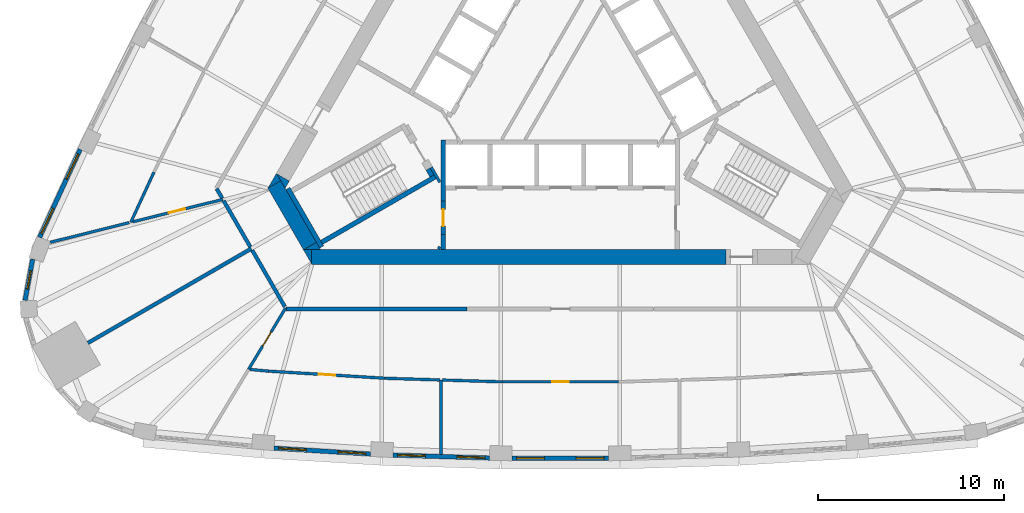
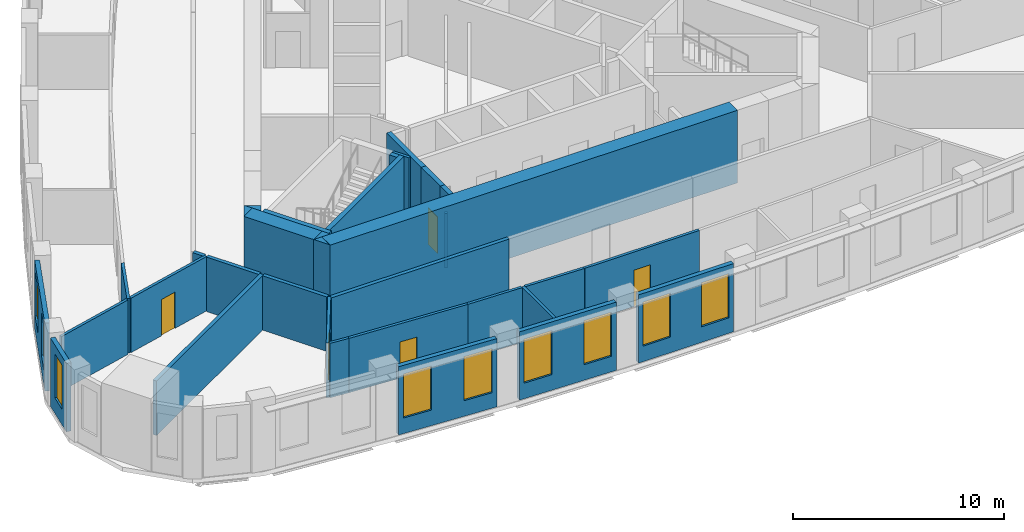
# One storey, part 3 of 10: 34 walls, 9 windows, 5 doors, 14 openings.
"""IFC4 building model written with IfcOpenShell, lengths in metres."""

import ifcopenshell
import ifcopenshell.guid

model = None  # the IFC model being written
_history = None  # IfcOwnerHistory: only IFC2X3 demands one
_inside = {}  # id of a spatial element -> (the spatial element, [elements in it])
_under = {}  # id of a project, library or spatial element -> (it, [spatial elements below it])
_declared = {}  # id of a project -> (the project, [libraries it declares])
_typed = {}  # id of a type object -> (the type object, [elements of that type])
_made_of = {}  # id of a material, layer set ... -> (it, [elements and type objects made of it])


def new_model(schema):
    """Start an empty IFC model of exactly this schema.

    Asked for "IFC4X3", IfcOpenShell would pick the latest addendum, in which some entities
    have other attributes; the version numbers below select the first issue.
    IFC2X3 requires an IfcOwnerHistory on every rooted entity: one is made here for all.
    """
    global model, _history
    if schema == "IFC4X3":
        model = ifcopenshell.file(schema_version=(4, 3, 0, 0))
    else:
        model = ifcopenshell.file(schema=schema)
    _inside.clear()
    _under.clear()
    _declared.clear()
    _typed.clear()
    _made_of.clear()
    _history = None
    if model.schema == "IFC2X3":
        org = make("IfcOrganization", Name="unknown")
        user = make(
            "IfcPersonAndOrganization",
            ThePerson=make("IfcPerson", FamilyName="unknown"),
            TheOrganization=org,
        )
        app = make(
            "IfcApplication",
            ApplicationDeveloper=org,
            Version="unknown",
            ApplicationFullName="unknown",
            ApplicationIdentifier="unknown",
        )
        _history = make(
            "IfcOwnerHistory",
            OwningUser=user,
            OwningApplication=app,
            ChangeAction="ADDED",
            CreationDate=0,
        )
    return model


def make(cls, **values):
    """One entity of the class cls with the attributes given. An attribute that is None is left unset."""
    return model.create_entity(
        cls, **{name: value for name, value in values.items() if value is not None}
    )


def rooted(cls, **values):
    """An entity with a GlobalId (a new one), such as an element, a storey or a relation."""
    return make(cls, GlobalId=ifcopenshell.guid.new(), OwnerHistory=_history, **values)


def si_unit(unit_type, name, prefix=None):
    """IfcSIUnit, for example si_unit("LENGTHUNIT", "METRE", prefix="MILLI")."""
    return make("IfcSIUnit", UnitType=unit_type, Prefix=prefix, Name=name)


def assignment(units):
    """IfcUnitAssignment: the units of a project."""
    return None if units is None else make("IfcUnitAssignment", Units=units)


def point(xyz):
    """IfcCartesianPoint."""
    return None if xyz is None else make("IfcCartesianPoint", Coordinates=xyz)


def direction(xyz):
    """IfcDirection."""
    return None if xyz is None else make("IfcDirection", DirectionRatios=xyz)


def frame(location, z_axis=None, x_axis=None):
    """IfcAxis2Placement3D, a coordinate frame: its origin and axes. An axis left out is left unset."""
    return make(
        "IfcAxis2Placement3D",
        Location=point(location),
        Axis=direction(z_axis),
        RefDirection=direction(x_axis),
    )


def frame_2d(location, x_axis=None):
    """IfcAxis2Placement2D, a coordinate frame in the plane: its origin and x axis."""
    return make(
        "IfcAxis2Placement2D", Location=point(location), RefDirection=direction(x_axis)
    )


def origin():
    """The frame at (0, 0, 0) with its axes left unset."""
    return frame((0.0, 0.0, 0.0))


def place(relative_to, where):
    """IfcLocalPlacement: puts the frame where relative to a parent placement (None: the world)."""
    return make(
        "IfcLocalPlacement", PlacementRelTo=relative_to, RelativePlacement=where
    )


def context(
    kind, dimensions, precision=None, world=None, true_north=None, identifier=None
):
    """IfcGeometricRepresentationContext, for example the 3D "Model" context."""
    return make(
        "IfcGeometricRepresentationContext",
        ContextIdentifier=identifier,
        ContextType=kind,
        CoordinateSpaceDimension=dimensions,
        Precision=precision,
        WorldCoordinateSystem=world,
        TrueNorth=true_north,
    )


def subcontext(parent, identifier, kind, view, scale=None):
    """IfcGeometricRepresentationSubContext, for example "Body" below "Model"."""
    return make(
        "IfcGeometricRepresentationSubContext",
        ContextIdentifier=identifier,
        ContextType=kind,
        ParentContext=parent,
        TargetScale=scale,
        TargetView=view,
    )


def project(units=None, contexts=None):
    """IfcProject with its units and contexts."""
    return rooted(
        "IfcProject",
        Name="project",
        RepresentationContexts=contexts,
        UnitsInContext=assignment(units),
    )


def spatial(cls, under=None, at=None, **own):
    """A site, building, storey or space (cls), placed at a placement, below another one or the project."""
    s = rooted(cls, ObjectPlacement=at, **own)
    if under is not None:
        _under.setdefault(under.id(), (under, []))[1].append(s)
    return s


def polyline(points):
    """IfcPolyline through the points."""
    return make("IfcPolyline", Points=[point(p) for p in points])


def profile(cls, at=None, kind="AREA", **sizes):
    """A parametric profile (cls). Its sizes go by their IFC names, for example OverallWidth=200.0."""
    return make(cls, ProfileType=kind, Position=at, **sizes)


def rectangle(**sizes):
    """IfcRectangleProfileDef."""
    return profile("IfcRectangleProfileDef", **sizes)


def outline(outer, holes=None, kind="AREA"):
    """IfcArbitraryClosedProfileDef: a profile drawn as a closed curve; with holes, ...WithVoids."""
    if holes is None:
        return make("IfcArbitraryClosedProfileDef", ProfileType=kind, OuterCurve=outer)
    return make(
        "IfcArbitraryProfileDefWithVoids",
        ProfileType=kind,
        OuterCurve=outer,
        InnerCurves=holes,
    )


def extrude(swept, where, along, depth):
    """IfcExtrudedAreaSolid: the profile swept, set in the frame where, extruded along a direction by depth."""
    return make(
        "IfcExtrudedAreaSolid",
        SweptArea=swept,
        Position=where,
        ExtrudedDirection=direction(along),
        Depth=depth,
    )


def shape(context_of_items, identifier, shape_type, items):
    """IfcShapeRepresentation: the items that make up one representation, for example the "Body"."""
    return make(
        "IfcShapeRepresentation",
        ContextOfItems=context_of_items,
        RepresentationIdentifier=identifier,
        RepresentationType=shape_type,
        Items=items,
    )


def material(Name=None, Category=None):
    """IfcMaterial."""
    return make("IfcMaterial", Name=Name, Category=Category)


def layer(
    of_material, thickness, ventilated=None, Name=None, Category=None, Priority=None
):
    """IfcMaterialLayer: one layer of a wall or slab, of a material (None: an air gap)."""
    return make(
        "IfcMaterialLayer",
        Material=of_material,
        LayerThickness=thickness,
        IsVentilated=ventilated,
        Name=Name,
        Category=Category,
        Priority=Priority,
    )


def layer_set(layers, Name=None):
    """IfcMaterialLayerSet."""
    return make("IfcMaterialLayerSet", MaterialLayers=layers, LayerSetName=Name)


def made_of(thing, what):
    """Note that an element or type object is made of a material, layer set ...; save() writes the relation."""
    if what is not None:
        _made_of.setdefault(what.id(), (what, []))[1].append(thing)
    return thing


def type_object(cls, material=None, **own):
    """A type object (cls), such as IfcWallType, which elements share."""
    return made_of(rooted(cls, **own), material)


def element(
    cls,
    number,
    at=None,
    inside=None,
    cuts=None,
    type_object=None,
    material=None,
    context=None,
    identifier="Body",
    shape_type=None,
    held_by="IfcProductDefinitionShape",
    body=None,
    shapes=None,
    **own,
):
    """One element of the class cls, such as IfcWall. Its Tag is "e" and its number.

    at: its placement. inside: the storey or other place that contains it. cuts: it is an
    opening in that element (IfcRelVoidsElement). A single representation is given by context,
    identifier, shape_type and body (its items); several are given by shapes. held_by: the class
    of the entity that holds the representations. save() writes the other relations.
    """
    e = rooted(cls, Tag="e%d" % number, ObjectPlacement=at, **own)
    if body is not None:
        shapes = [shape(context, identifier, shape_type, body)]
    if shapes is not None:
        e.Representation = make(held_by, Representations=shapes)
    if inside is not None:
        _inside.setdefault(inside.id(), (inside, []))[1].append(e)
    if cuts is not None:
        rooted(
            "IfcRelVoidsElement", RelatingBuildingElement=cuts, RelatedOpeningElement=e
        )
    if type_object is not None:
        _typed.setdefault(type_object.id(), (type_object, []))[1].append(e)
    return made_of(e, material)


def fill(opening, filler):
    """IfcRelFillsElement: the door or window that sits in an opening."""
    return rooted(
        "IfcRelFillsElement",
        RelatingOpeningElement=opening,
        RelatedBuildingElement=filler,
    )


def aggregate(whole, parts):
    """IfcRelAggregates: a whole, such as a stair, and the parts it consists of."""
    return rooted("IfcRelAggregates", RelatingObject=whole, RelatedObjects=parts)


def save(model, path):
    """Write the relations noted so far, then the file.

    IfcRelAggregates (storeys below a building ...), IfcRelContainedInSpatialStructure (elements
    in a storey), IfcRelDefinesByType, IfcRelAssociatesMaterial and IfcRelDeclares: one each for
    every whole, place, type object, material and project.
    """
    for whole, parts in _under.values():
        aggregate(whole, parts)
    for where, things in _inside.values():
        rooted(
            "IfcRelContainedInSpatialStructure",
            RelatedElements=things,
            RelatingStructure=where,
        )
    for kind, things in _typed.values():
        rooted("IfcRelDefinesByType", RelatedObjects=things, RelatingType=kind)
    for what, things in _made_of.values():
        rooted("IfcRelAssociatesMaterial", RelatedObjects=things, RelatingMaterial=what)
    for by, libraries in _declared.values():
        rooted("IfcRelDeclares", RelatingContext=by, RelatedDefinitions=libraries)
    model.write(path)


model = new_model("IFC4")

# Units and contexts
model_context = context("Model", 3, precision=1e-05, world=origin(), true_north=direction((0.0, 1.0)))
body_context = subcontext(model_context, "Body", "Model", "MODEL_VIEW")
ifc_project = project(units=[si_unit("LENGTHUNIT", "METRE"), si_unit("AREAUNIT", "SQUARE_METRE"), si_unit("VOLUMEUNIT", "CUBIC_METRE"), si_unit("PLANEANGLEUNIT", "RADIAN"), si_unit("MASSUNIT", "GRAM", prefix="KILO")], contexts=[model_context])

# Site, building, storey
site_placement = place(None, origin())
site = spatial("IfcSite", under=ifc_project, at=site_placement, CompositionType="ELEMENT")
building_placement = place(site_placement, origin())
building = spatial("IfcBuilding", under=site, at=building_placement, Name="Mestral Congress Tower", CompositionType="ELEMENT")
storey_placement = place(building_placement, frame((0.0, 0.0, 145.800048828125)))
storey = spatial("IfcBuildingStorey", under=building, at=storey_placement, Name="L34", CompositionType="ELEMENT", Elevation=145.800048828125)

# Walls
ifc_material_1 = material(Name="Fire-rated board partition")
ifc_layer_1 = layer(ifc_material_1, 0.14990234375)
ifc_layer_set_1 = layer_set([ifc_layer_1], Name="Fire-rated board partition")
wall_type_1 = type_object("IfcWallType", Name="Core partition 150", PredefinedType="PARTITIONING", material=ifc_layer_set_1)
wall_1_placement = place(storey_placement, frame((-6.552978515625, -9.6181640625, 0.0), z_axis=(0.0, 0.0, 1.0), x_axis=(0.499915430684, 0.866074224396, 0.0)))
element("IfcWall", 1, at=wall_1_placement, inside=storey, type_object=wall_type_1, Name="L34 core wall", PredefinedType="PARTITIONING", context=body_context, shape_type="SweptSolid", body=[
    extrude(rectangle(XDim=0.14599609375, YDim=0.14990234375, at=frame_2d((0.072998046875, 0.0))), origin(), (0.0, 0.0, 1.0), 3.14990234375),
])
ifc_material_2 = material(Name="Concrete C60/75", Category="concrete")
ifc_layer_2 = layer(ifc_material_2, 0.800048828125)
ifc_layer_set_2 = layer_set([ifc_layer_2], Name="Concrete C60/75")
wall_type_2 = type_object("IfcWallType", Name="Core wall RC 800", PredefinedType="SOLIDWALL", material=ifc_layer_set_2)
wall_2_placement = place(storey_placement, frame((-13.377685546875, -10.050048828125, 0.0), z_axis=(0.0, 0.0, 1.0), x_axis=(1.0, 0.0, 0.0)))
element("IfcWall", 2, at=wall_2_placement, inside=storey, type_object=wall_type_2, Name="L34 core wall", PredefinedType="SOLIDWALL", context=body_context, shape_type="SweptSolid", body=[
    extrude(rectangle(XDim=22.281982421875, YDim=0.800048828125, at=frame_2d((11.14111328125, 0.0))), origin(), (0.0, 0.0, 1.0), 4.199951171875),
])
placement = place(storey_placement, origin())
element("IfcWall", 3, at=placement, inside=storey, type_object=wall_type_2, Name="L34 core wall", PredefinedType="SOLIDWALL", context=body_context, shape_type="SweptSolid", body=[
    extrude(outline(polyline([(-13.82763671875, -9.64990234375), (-13.379638671875, -9.64990234375), (-13.379638671875, -10.42578125), (-13.82763671875, -9.64990234375)])), origin(), (0.0, 0.0, 1.0), 4.199951171875),
])
wall_4_placement = place(storey_placement, frame((-15.38720703125, -6.148193359375, 0.0), z_axis=(0.0, 0.0, 1.0), x_axis=(0.499984020225, -0.866034629516, 0.0)))
element("IfcWall", 4, at=wall_4_placement, inside=storey, type_object=wall_type_2, Name="L34 core wall", PredefinedType="SOLIDWALL", context=body_context, shape_type="SweptSolid", body=[
    extrude(rectangle(XDim=3.824462890625, YDim=0.800048828125, at=frame_2d((1.912109375, 0.0))), origin(), (0.0, 0.0, 1.0), 4.199951171875),
])
element("IfcWall", 5, at=placement, inside=storey, type_object=wall_type_2, Name="L34 core wall", PredefinedType="SOLIDWALL", context=body_context, shape_type="SweptSolid", body=[
    extrude(outline(polyline([(-15.0419921875, -5.946533203125), (-15.728759765625, -6.343017578125), (-15.27099609375, -5.5498046875), (-15.0419921875, -5.946533203125)])), origin(), (0.0, 0.0, 1.0), 4.199951171875),
])
element("IfcWall", 6, at=placement, inside=storey, type_object=wall_type_2, Name="L34 core wall", PredefinedType="SOLIDWALL", context=body_context, shape_type="SweptSolid", body=[
    extrude(outline(polyline([(-12.90380859375, -9.64990234375), (-13.7998046875, -9.64990234375), (-13.127685546875, -9.261962890625), (-12.90380859375, -9.64990234375)])), origin(), (0.0, 0.0, 1.0), 4.199951171875),
])
element("IfcWall", 7, at=placement, inside=storey, type_object=wall_type_2, Name="L34 core wall", PredefinedType="SOLIDWALL", context=body_context, shape_type="SweptSolid", body=[
    extrude(outline(polyline([(-14.80908203125, -6.35009765625), (-15.2568359375, -5.57421875), (-14.5849609375, -5.9619140625), (-14.80908203125, -6.35009765625)])), origin(), (0.0, 0.0, 1.0), 4.199951171875),
])

# Wall, openings, windows
ifc_material_3 = material(Name="Precast concrete C40/50 with limestone facing", Category="masonry")
ifc_layer_3 = layer(ifc_material_3, 0.239990234375)
ifc_layer_set_3 = layer_set([ifc_layer_3], Name="Precast concrete C40/50 with limestone facing")
wall_type_3 = type_object("IfcWallType", Name="Facade stone wall 240", PredefinedType="SOLIDWALL", material=ifc_layer_set_3)
wall_8_placement = place(storey_placement, frame((-15.404541015625, -20.33837890625, 0.0), z_axis=(0.0, 0.0, 1.0), x_axis=(0.998135294646, -0.061040425794, 0.0)))
wall_8 = element("IfcWall", 8, at=wall_8_placement, inside=storey, type_object=wall_type_3, Name="Facade wall F0-01", PredefinedType="SOLIDWALL", context=body_context, shape_type="SweptSolid", body=[
    extrude(rectangle(XDim=5.20361328125, YDim=0.239990234375, at=frame_2d((2.601806640625, 0.0))), origin(), (0.0, 0.0, 1.0), 3.949951171875),
])
opening_1_placement = place(wall_8_placement, frame((0.248291015625, 0.0, 0.89990234375)))
opening_1 = element("IfcOpeningElement", 9, at=opening_1_placement, cuts=wall_8, Name="Opening W4", PredefinedType="OPENING", context=body_context, shape_type="SweptSolid", body=[
    extrude(rectangle(XDim=1.5, YDim=2.550048828125, at=frame_2d((0.75, 1.27490234375))), frame((0.0, 0.1298828125, 0.0), z_axis=(0.0, -1.0, 0.0), x_axis=(1.0, 0.0, 0.0)), (0.0, 0.0, 1.0), 0.260009765625),
])
opening_2_placement = place(wall_8_placement, frame((3.455078125, 0.0, 0.89990234375)))
opening_2 = element("IfcOpeningElement", 10, at=opening_2_placement, cuts=wall_8, Name="Opening W4", PredefinedType="OPENING", context=body_context, shape_type="SweptSolid", body=[
    extrude(rectangle(XDim=1.5, YDim=2.550048828125, at=frame_2d((0.75, 1.27490234375))), frame((0.0, 0.1298828125, 0.0), z_axis=(0.0, -1.0, 0.0), x_axis=(1.0, 0.0, 0.0)), (0.0, 0.0, 1.0), 0.260009765625),
])
ifc_material_4 = material(Name="Clear low-emissivity double glazing", Category="glass")
window_type_1 = type_object("IfcWindowType", Name="Facade punched window 1500 x 2550 sill 900", PartitioningType="SINGLE_PANEL", PredefinedType="WINDOW", material=ifc_material_4)
window_1_placement = place(opening_1_placement, origin())
window_1 = element("IfcWindow", 11, at=window_1_placement, inside=storey, type_object=window_type_1, Name="Window F0-01a", OverallHeight=2.550048828125, OverallWidth=1.5, PartitioningType="SINGLE_PANEL", PredefinedType="WINDOW", context=body_context, shape_type="SweptSolid", body=[
    extrude(rectangle(XDim=1.5, YDim=2.550048828125, at=frame_2d((0.75, 1.27490234375))), frame((0.0, 0.0400390625, 0.0), z_axis=(0.0, -1.0, 0.0), x_axis=(1.0, 0.0, 0.0)), (0.0, 0.0, 1.0), 0.06005859375),
])
fill(opening_1, window_1)
window_2_placement = place(opening_2_placement, origin())
window_2 = element("IfcWindow", 12, at=window_2_placement, inside=storey, type_object=window_type_1, Name="Window F0-01b", OverallHeight=2.550048828125, OverallWidth=1.5, PartitioningType="SINGLE_PANEL", PredefinedType="WINDOW", context=body_context, shape_type="SweptSolid", body=[
    extrude(rectangle(XDim=1.5, YDim=2.550048828125, at=frame_2d((0.75, 1.27490234375))), frame((0.0, 0.0400390625, 0.0), z_axis=(0.0, -1.0, 0.0), x_axis=(1.0, 0.0, 0.0)), (0.0, 0.0, 1.0), 0.06005859375),
])
fill(opening_2, window_2)

wall_9_placement = place(storey_placement, frame((-9.00732421875, -20.7109375, 0.0), z_axis=(0.0, 0.0, 1.0), x_axis=(0.999533441983, -0.030543384845, 0.0)))
wall_9 = element("IfcWall", 13, at=wall_9_placement, inside=storey, type_object=wall_type_3, Name="Facade wall F0-02", PredefinedType="SOLIDWALL", context=body_context, shape_type="SweptSolid", body=[
    extrude(rectangle(XDim=5.20361328125, YDim=0.239990234375, at=frame_2d((2.601806640625, 0.0))), origin(), (0.0, 0.0, 1.0), 3.949951171875),
])
opening_3_placement = place(wall_9_placement, frame((0.248291015625, 0.0, 0.89990234375)))
opening_3 = element("IfcOpeningElement", 14, at=opening_3_placement, cuts=wall_9, Name="Opening W4", PredefinedType="OPENING", context=body_context, shape_type="SweptSolid", body=[
    extrude(rectangle(XDim=1.5, YDim=2.550048828125, at=frame_2d((0.75, 1.27490234375))), frame((0.0, 0.1298828125, 0.0), z_axis=(0.0, -1.0, 0.0), x_axis=(1.0, 0.0, 0.0)), (0.0, 0.0, 1.0), 0.260009765625),
])
opening_4_placement = place(wall_9_placement, frame((3.455078125, 0.0, 0.89990234375)))
opening_4 = element("IfcOpeningElement", 15, at=opening_4_placement, cuts=wall_9, Name="Opening W4", PredefinedType="OPENING", context=body_context, shape_type="SweptSolid", body=[
    extrude(rectangle(XDim=1.5, YDim=2.550048828125, at=frame_2d((0.75, 1.27490234375))), frame((0.0, 0.1298828125, 0.0), z_axis=(0.0, -1.0, 0.0), x_axis=(1.0, 0.0, 0.0)), (0.0, 0.0, 1.0), 0.260009765625),
])
window_3_placement = place(opening_3_placement, origin())
window_3 = element("IfcWindow", 16, at=window_3_placement, inside=storey, type_object=window_type_1, Name="Window F0-02a", OverallHeight=2.550048828125, OverallWidth=1.5, PartitioningType="SINGLE_PANEL", PredefinedType="WINDOW", context=body_context, shape_type="SweptSolid", body=[
    extrude(rectangle(XDim=1.5, YDim=2.550048828125, at=frame_2d((0.75, 1.27490234375))), frame((0.0, 0.0400390625, 0.0), z_axis=(0.0, -1.0, 0.0), x_axis=(1.0, 0.0, 0.0)), (0.0, 0.0, 1.0), 0.06005859375),
])
fill(opening_3, window_3)
window_4_placement = place(opening_4_placement, origin())
window_4 = element("IfcWindow", 17, at=window_4_placement, inside=storey, type_object=window_type_1, Name="Window F0-02b", OverallHeight=2.550048828125, OverallWidth=1.5, PartitioningType="SINGLE_PANEL", PredefinedType="WINDOW", context=body_context, shape_type="SweptSolid", body=[
    extrude(rectangle(XDim=1.5, YDim=2.550048828125, at=frame_2d((0.75, 1.27490234375))), frame((0.0, 0.0400390625, 0.0), z_axis=(0.0, -1.0, 0.0), x_axis=(1.0, 0.0, 0.0)), (0.0, 0.0, 1.0), 0.06005859375),
])
fill(opening_4, window_4)

wall_10_placement = place(storey_placement, frame((-2.601806640625, -20.88818359375, 0.0), z_axis=(0.0, 0.0, 1.0), x_axis=(1.0, 0.0, 0.0)))
wall_10 = element("IfcWall", 18, at=wall_10_placement, inside=storey, type_object=wall_type_3, Name="Facade wall F0-03", PredefinedType="SOLIDWALL", context=body_context, shape_type="SweptSolid", body=[
    extrude(rectangle(XDim=5.20361328125, YDim=0.239990234375, at=frame_2d((2.601806640625, 0.0))), origin(), (0.0, 0.0, 1.0), 3.949951171875),
])
opening_5_placement = place(wall_10_placement, frame((0.248291015625, 0.0, 0.89990234375)))
opening_5 = element("IfcOpeningElement", 19, at=opening_5_placement, cuts=wall_10, Name="Opening W4", PredefinedType="OPENING", context=body_context, shape_type="SweptSolid", body=[
    extrude(rectangle(XDim=1.5, YDim=2.550048828125, at=frame_2d((0.75, 1.27490234375))), frame((0.0, 0.1298828125, 0.0), z_axis=(0.0, -1.0, 0.0), x_axis=(1.0, 0.0, 0.0)), (0.0, 0.0, 1.0), 0.260009765625),
])
opening_6_placement = place(wall_10_placement, frame((3.455078125, 0.0, 0.89990234375)))
opening_6 = element("IfcOpeningElement", 20, at=opening_6_placement, cuts=wall_10, Name="Opening W4", PredefinedType="OPENING", context=body_context, shape_type="SweptSolid", body=[
    extrude(rectangle(XDim=1.5, YDim=2.550048828125, at=frame_2d((0.75, 1.27490234375))), frame((0.0, 0.1298828125, 0.0), z_axis=(0.0, -1.0, 0.0), x_axis=(1.0, 0.0, 0.0)), (0.0, 0.0, 1.0), 0.260009765625),
])
window_5_placement = place(opening_5_placement, origin())
window_5 = element("IfcWindow", 21, at=window_5_placement, inside=storey, type_object=window_type_1, Name="Window F0-03a", OverallHeight=2.550048828125, OverallWidth=1.5, PartitioningType="SINGLE_PANEL", PredefinedType="WINDOW", context=body_context, shape_type="SweptSolid", body=[
    extrude(rectangle(XDim=1.5, YDim=2.550048828125, at=frame_2d((0.75, 1.27490234375))), frame((0.0, 0.0400390625, 0.0), z_axis=(0.0, -1.0, 0.0), x_axis=(1.0, 0.0, 0.0)), (0.0, 0.0, 1.0), 0.06005859375),
])
fill(opening_5, window_5)
window_6_placement = place(opening_6_placement, origin())
window_6 = element("IfcWindow", 22, at=window_6_placement, inside=storey, type_object=window_type_1, Name="Window F0-03b", OverallHeight=2.550048828125, OverallWidth=1.5, PartitioningType="SINGLE_PANEL", PredefinedType="WINDOW", context=body_context, shape_type="SweptSolid", body=[
    extrude(rectangle(XDim=1.5, YDim=2.550048828125, at=frame_2d((0.75, 1.27490234375))), frame((0.0, 0.0400390625, 0.0), z_axis=(0.0, -1.0, 0.0), x_axis=(1.0, 0.0, 0.0)), (0.0, 0.0, 1.0), 0.06005859375),
])
fill(opening_6, window_6)

wall_11_placement = place(storey_placement, frame((-25.8369140625, -4.2578125, 0.0), z_axis=(0.0, 0.0, 1.0), x_axis=(-0.418722559465, -0.908114209885, 0.0)))
wall_11 = element("IfcWall", 23, at=wall_11_placement, inside=storey, type_object=wall_type_3, Name="Facade wall F2-06", PredefinedType="SOLIDWALL", context=body_context, shape_type="SweptSolid", body=[
    extrude(rectangle(XDim=5.213134765625, YDim=0.239990234375, at=frame_2d((2.6064453125, 0.0))), origin(), (0.0, 0.0, 1.0), 3.949951171875),
])
opening_7_placement = place(wall_11_placement, frame((0.2607421875, 0.0, 0.89990234375)))
opening_7 = element("IfcOpeningElement", 24, at=opening_7_placement, cuts=wall_11, Name="Opening W4", PredefinedType="OPENING", context=body_context, shape_type="SweptSolid", body=[
    extrude(rectangle(XDim=1.5, YDim=2.550048828125, at=frame_2d((0.75, 1.27490234375))), frame((0.0, 0.1298828125, 0.0), z_axis=(0.0, -1.0, 0.0), x_axis=(1.0, 0.0, 0.0)), (0.0, 0.0, 1.0), 0.260009765625),
])
opening_8_placement = place(wall_11_placement, frame((3.492431640625, 0.0, 0.89990234375)))
opening_8 = element("IfcOpeningElement", 25, at=opening_8_placement, cuts=wall_11, Name="Opening W4", PredefinedType="OPENING", context=body_context, shape_type="SweptSolid", body=[
    extrude(rectangle(XDim=1.5, YDim=2.550048828125, at=frame_2d((0.75, 1.27490234375))), frame((0.0, 0.1298828125, 0.0), z_axis=(0.0, -1.0, 0.0), x_axis=(1.0, 0.0, 0.0)), (0.0, 0.0, 1.0), 0.260009765625),
])
window_7_placement = place(opening_7_placement, origin())
window_7 = element("IfcWindow", 26, at=window_7_placement, inside=storey, type_object=window_type_1, Name="Window F2-06a", OverallHeight=2.550048828125, OverallWidth=1.5, PartitioningType="SINGLE_PANEL", PredefinedType="WINDOW", context=body_context, shape_type="SweptSolid", body=[
    extrude(rectangle(XDim=1.5, YDim=2.550048828125, at=frame_2d((0.75, 1.27490234375))), frame((0.0, 0.0400390625, 0.0), z_axis=(0.0, -1.0, 0.0), x_axis=(1.0, 0.0, 0.0)), (0.0, 0.0, 1.0), 0.06005859375),
])
fill(opening_7, window_7)
window_8_placement = place(opening_8_placement, origin())
window_8 = element("IfcWindow", 27, at=window_8_placement, inside=storey, type_object=window_type_1, Name="Window F2-06b", OverallHeight=2.550048828125, OverallWidth=1.5, PartitioningType="SINGLE_PANEL", PredefinedType="WINDOW", context=body_context, shape_type="SweptSolid", body=[
    extrude(rectangle(XDim=1.5, YDim=2.550048828125, at=frame_2d((0.75, 1.27490234375))), frame((0.0, 0.0400390625, 0.0), z_axis=(0.0, -1.0, 0.0), x_axis=(1.0, 0.0, 0.0)), (0.0, 0.0, 1.0), 0.06005859375),
])
fill(opening_8, window_8)

# Wall, opening, window
wall_12_placement = place(storey_placement, frame((-28.392578125, -10.166748046875, 0.0), z_axis=(0.0, 0.0, 1.0), x_axis=(-0.180737189259, -0.983531427265, 0.0)))
wall_12 = element("IfcWall", 28, at=wall_12_placement, inside=storey, type_object=wall_type_3, Name="Facade wall K2-0", PredefinedType="SOLIDWALL", context=body_context, shape_type="SweptSolid", body=[
    extrude(rectangle(XDim=2.25048828125, YDim=0.239990234375, at=frame_2d((1.125244140625, 0.0))), origin(), (0.0, 0.0, 1.0), 3.949951171875),
])
opening_9_placement = place(wall_12_placement, frame((0.625244140625, 0.0, 0.89990234375)))
opening_9 = element("IfcOpeningElement", 29, at=opening_9_placement, cuts=wall_12, Name="Opening W5", PredefinedType="OPENING", context=body_context, shape_type="SweptSolid", body=[
    extrude(rectangle(XDim=1.0, YDim=2.550048828125, at=frame_2d((0.5, 1.27490234375))), frame((0.0, 0.1298828125, 0.0), z_axis=(0.0, -1.0, 0.0), x_axis=(1.0, 0.0, 0.0)), (0.0, 0.0, 1.0), 0.260009765625),
])
window_type_2 = type_object("IfcWindowType", Name="Facade punched window 1000 x 2550 sill 900", PartitioningType="SINGLE_PANEL", PredefinedType="WINDOW", material=ifc_material_4)
window_9_placement = place(opening_9_placement, origin())
window_9 = element("IfcWindow", 30, at=window_9_placement, inside=storey, type_object=window_type_2, Name="Window K2-0", OverallHeight=2.550048828125, OverallWidth=1.0, PartitioningType="SINGLE_PANEL", PredefinedType="WINDOW", context=body_context, shape_type="SweptSolid", body=[
    extrude(rectangle(XDim=1.0, YDim=2.550048828125, at=frame_2d((0.5, 1.27490234375))), frame((0.0, 0.0400390625, 0.0), z_axis=(0.0, -1.0, 0.0), x_axis=(1.0, 0.0, 0.0)), (0.0, 0.0, 1.0), 0.06005859375),
])
fill(opening_9, window_9)

# Wall, opening, door
ifc_material_5 = material(Name="Plasterboard partition on steel studs", Category="steel")
ifc_layer_4 = layer(ifc_material_5, 0.14990234375)
ifc_layer_set_4 = layer_set([ifc_layer_4], Name="Plasterboard partition on steel studs")
wall_type_4 = type_object("IfcWallType", Name="Office partition 150", PredefinedType="PARTITIONING", material=ifc_layer_set_4)
wall_13_placement = place(storey_placement, frame((-16.77490234375, -16.097412109375, 0.0), z_axis=(0.0, 0.0, 1.0), x_axis=(0.516793803756, 0.856109902057, 0.0)))
wall_13 = element("IfcWall", 31, at=wall_13_placement, inside=storey, type_object=wall_type_4, Name="Partition", PredefinedType="PARTITIONING", context=body_context, shape_type="SweptSolid", body=[
    extrude(rectangle(XDim=3.85595703125, YDim=0.14990234375, at=frame_2d((1.927978515625, 0.0))), origin(), (0.0, 0.0, 1.0), 3.14990234375),
])
opening_10_placement = place(wall_13_placement, frame((1.455810546875, 0.0, 0.0)))
opening_10 = element("IfcOpeningElement", 32, at=opening_10_placement, cuts=wall_13, Name="Opening O01-001", PredefinedType="OPENING", context=body_context, shape_type="SweptSolid", body=[
    extrude(rectangle(XDim=0.89990234375, YDim=2.10009765625, at=frame_2d((0.449951171875, 1.050048828125))), frame((0.0, 0.0849609375, 0.0), z_axis=(0.0, -1.0, 0.0), x_axis=(1.0, 0.0, 0.0)), (0.0, 0.0, 1.0), 0.169921875),
])
ifc_material_6 = material(Name="Timber door set", Category="wood")
door_type_1 = type_object("IfcDoorType", Name="Office door 900x2100", OperationType="SINGLE_SWING_LEFT", PredefinedType="DOOR", material=ifc_material_6)
door_1_placement = place(opening_10_placement, origin())
door_1 = element("IfcDoor", 33, at=door_1_placement, inside=storey, type_object=door_type_1, Name="Door O01-001", OperationType="SINGLE_SWING_LEFT", OverallHeight=2.10009765625, OverallWidth=0.89990234375, PredefinedType="DOOR", context=body_context, shape_type="SweptSolid", body=[
    extrude(rectangle(XDim=0.89990234375, YDim=2.10009765625, at=frame_2d((0.449951171875, 1.050048828125))), frame((0.0, 0.02490234375, 0.0), z_axis=(0.0, -1.0, 0.0), x_axis=(1.0, 0.0, 0.0)), (0.0, 0.0, 1.0), 0.050048828125),
])
fill(opening_10, door_1)

# Walls
wall_14_placement = place(storey_placement, frame((-6.412109375, -16.668212890625, 0.0), z_axis=(0.0, 0.0, 1.0), x_axis=(0.0, -1.0, 0.0)))
element("IfcWall", 34, at=wall_14_placement, inside=storey, type_object=wall_type_4, Name="Partition", PredefinedType="PARTITIONING", context=body_context, shape_type="SweptSolid", body=[
    extrude(rectangle(XDim=4.001953125, YDim=0.14990234375, at=frame_2d((2.0009765625, 0.0))), origin(), (0.0, 0.0, 1.0), 3.14990234375),
])
wall_15_placement = place(storey_placement, frame((-16.689697265625, -16.1015625, 0.0), z_axis=(0.0, 0.0, 1.0), x_axis=(0.995818997537, -0.091348366946, 0.0)))
element("IfcWall", 35, at=wall_15_placement, inside=storey, type_object=wall_type_4, Name="Partition", PredefinedType="PARTITIONING", context=body_context, shape_type="SweptSolid", body=[
    extrude(rectangle(XDim=1.002197265625, YDim=0.14990234375, at=frame_2d((0.5009765625, 0.0))), origin(), (0.0, 0.0, 1.0), 3.14990234375),
])

# Wall, opening, door
wall_16_placement = place(storey_placement, frame((-9.4208984375, -16.576416015625, 0.0), z_axis=(0.0, 0.0, 1.0), x_axis=(-0.998137075468, 0.061011298754, 0.0)))
wall_16 = element("IfcWall", 36, at=wall_16_placement, inside=storey, type_object=wall_type_4, Name="Partition", PredefinedType="PARTITIONING", context=body_context, shape_type="SweptSolid", body=[
    extrude(rectangle(XDim=6.282470703125, YDim=0.14990234375, at=frame_2d((3.14111328125, 0.0))), origin(), (0.0, 0.0, 1.0), 3.14990234375),
])
opening_11_placement = place(wall_16_placement, frame((2.6826171875, 0.0, 0.0)))
opening_11 = element("IfcOpeningElement", 37, at=opening_11_placement, cuts=wall_16, Name="Opening O01-002", PredefinedType="OPENING", context=body_context, shape_type="SweptSolid", body=[
    extrude(rectangle(XDim=0.89990234375, YDim=2.10009765625, at=frame_2d((0.449951171875, 1.050048828125))), frame((0.0, 0.0849609375, 0.0), z_axis=(0.0, -1.0, 0.0), x_axis=(1.0, 0.0, 0.0)), (0.0, 0.0, 1.0), 0.169921875),
])
door_2_placement = place(opening_11_placement, origin())
door_2 = element("IfcDoor", 38, at=door_2_placement, inside=storey, type_object=door_type_1, Name="Door O01-002", OperationType="SINGLE_SWING_LEFT", OverallHeight=2.10009765625, OverallWidth=0.89990234375, PredefinedType="DOOR", context=body_context, shape_type="SweptSolid", body=[
    extrude(rectangle(XDim=0.89990234375, YDim=2.10009765625, at=frame_2d((0.449951171875, 1.050048828125))), frame((0.0, 0.02490234375, 0.0), z_axis=(0.0, -1.0, 0.0), x_axis=(1.0, 0.0, 0.0)), (0.0, 0.0, 1.0), 0.050048828125),
])
fill(opening_11, door_2)

# Walls
wall_17_placement = place(storey_placement, frame((-9.4208984375, -16.576416015625, 0.0), z_axis=(0.0, 0.0, 1.0), x_axis=(0.999533978083, -0.030525835896, 0.0)))
element("IfcWall", 39, at=wall_17_placement, inside=storey, type_object=wall_type_4, Name="Partition", PredefinedType="PARTITIONING", context=body_context, shape_type="SweptSolid", body=[
    extrude(rectangle(XDim=2.935302734375, YDim=0.14990234375, at=frame_2d((1.4677734375, 0.0))), origin(), (0.0, 0.0, 1.0), 3.14990234375),
])
wall_18_placement = place(storey_placement, frame((-6.3369140625, -16.670654296875, 0.0), z_axis=(0.0, 0.0, 1.0), x_axis=(0.999533369646, -0.030545751995, 0.0)))
element("IfcWall", 40, at=wall_18_placement, inside=storey, type_object=wall_type_4, Name="Partition", PredefinedType="PARTITIONING", context=body_context, shape_type="SweptSolid", body=[
    extrude(rectangle(XDim=3.197021484375, YDim=0.14990234375, at=frame_2d((1.5986328125, 0.0))), origin(), (0.0, 0.0, 1.0), 3.14990234375),
])

# Wall, opening, door
wall_19_placement = place(storey_placement, frame((3.141357421875, -16.768310546875, 0.0), z_axis=(0.0, 0.0, 1.0), x_axis=(-1.0, 0.0, 0.0)))
wall_19 = element("IfcWall", 41, at=wall_19_placement, inside=storey, type_object=wall_type_4, Name="Partition", PredefinedType="PARTITIONING", context=body_context, shape_type="SweptSolid", body=[
    extrude(rectangle(XDim=6.28271484375, YDim=0.14990234375, at=frame_2d((3.141357421875, 0.0))), origin(), (0.0, 0.0, 1.0), 3.14990234375),
])
opening_12_placement = place(wall_19_placement, frame((2.6826171875, 0.0, 0.0)))
opening_12 = element("IfcOpeningElement", 42, at=opening_12_placement, cuts=wall_19, Name="Opening O01-003", PredefinedType="OPENING", context=body_context, shape_type="SweptSolid", body=[
    extrude(rectangle(XDim=0.89990234375, YDim=2.10009765625, at=frame_2d((0.449951171875, 1.050048828125))), frame((0.0, 0.0849609375, 0.0), z_axis=(0.0, -1.0, 0.0), x_axis=(1.0, 0.0, 0.0)), (0.0, 0.0, 1.0), 0.169921875),
])
door_3_placement = place(opening_12_placement, origin())
door_3 = element("IfcDoor", 43, at=door_3_placement, inside=storey, type_object=door_type_1, Name="Door O01-003", OperationType="SINGLE_SWING_LEFT", OverallHeight=2.10009765625, OverallWidth=0.89990234375, PredefinedType="DOOR", context=body_context, shape_type="SweptSolid", body=[
    extrude(rectangle(XDim=0.89990234375, YDim=2.10009765625, at=frame_2d((0.449951171875, 1.050048828125))), frame((0.0, 0.02490234375, 0.0), z_axis=(0.0, -1.0, 0.0), x_axis=(1.0, 0.0, 0.0)), (0.0, 0.0, 1.0), 0.050048828125),
])
fill(opening_12, door_3)

# Walls
wall_20_placement = place(storey_placement, frame((-21.869384765625, -5.492919921875, 0.0), z_axis=(0.0, 0.0, 1.0), x_axis=(-0.418791486232, -0.908082425256, 0.0)))
element("IfcWall", 44, at=wall_20_placement, inside=storey, type_object=wall_type_4, Name="Partition", PredefinedType="PARTITIONING", context=body_context, shape_type="SweptSolid", body=[
    extrude(rectangle(XDim=2.9609375, YDim=0.14990234375, at=frame_2d((1.48046875, 0.0))), origin(), (0.0, 0.0, 1.0), 3.14990234375),
])
wall_21_placement = place(storey_placement, frame((-23.20263671875, -8.204833984375, 0.0), z_axis=(0.0, 0.0, 1.0), x_axis=(-0.970525493326, -0.240998478843, 0.0)))
element("IfcWall", 45, at=wall_21_placement, inside=storey, type_object=wall_type_4, Name="Partition", PredefinedType="PARTITIONING", context=body_context, shape_type="SweptSolid", body=[
    extrude(rectangle(XDim=4.373291015625, YDim=0.14990234375, at=frame_2d((2.1865234375, 0.0))), origin(), (0.0, 0.0, 1.0), 3.14990234375),
])

# Wall, opening, door
wall_22_placement = place(storey_placement, frame((-18.156494140625, -6.951904296875, 0.0), z_axis=(0.0, 0.0, 1.0), x_axis=(-0.97052275783, -0.241009494697, 0.0)))
wall_22 = element("IfcWall", 46, at=wall_22_placement, inside=storey, type_object=wall_type_4, Name="Partition", PredefinedType="PARTITIONING", context=body_context, shape_type="SweptSolid", body=[
    extrude(rectangle(XDim=5.00732421875, YDim=0.14990234375, at=frame_2d((2.503662109375, 0.0))), origin(), (0.0, 0.0, 1.0), 3.14990234375),
])
opening_13_placement = place(wall_22_placement, frame((2.10009765625, 0.0, 0.0)))
opening_13 = element("IfcOpeningElement", 47, at=opening_13_placement, cuts=wall_22, Name="Opening O01-018", PredefinedType="OPENING", context=body_context, shape_type="SweptSolid", body=[
    extrude(rectangle(XDim=0.89990234375, YDim=2.10009765625, at=frame_2d((0.449951171875, 1.050048828125))), frame((0.0, 0.0849609375, 0.0), z_axis=(0.0, -1.0, 0.0), x_axis=(1.0, 0.0, 0.0)), (0.0, 0.0, 1.0), 0.169921875),
])
door_4_placement = place(opening_13_placement, origin())
door_4 = element("IfcDoor", 48, at=door_4_placement, inside=storey, type_object=door_type_1, Name="Door O01-018", OperationType="SINGLE_SWING_RIGHT", OverallHeight=2.10009765625, OverallWidth=0.89990234375, PredefinedType="DOOR", context=body_context, shape_type="SweptSolid", body=[
    extrude(rectangle(XDim=0.89990234375, YDim=2.10009765625, at=frame_2d((0.449951171875, 1.050048828125))), frame((0.0, 0.02490234375, 0.0), z_axis=(0.0, -1.0, 0.0), x_axis=(1.0, 0.0, 0.0)), (0.0, 0.0, 1.0), 0.050048828125),
])
fill(opening_13, door_4)

# Walls
ifc_material_7 = material(Name="Dense masonry wall, plastered", Category="masonry")
ifc_layer_5 = layer(ifc_material_7, 0.199951171875)
ifc_layer_set_5 = layer_set([ifc_layer_5], Name="Dense masonry wall, plastered")
wall_type_5 = type_object("IfcWallType", Name="Office tenancy wall 200", PredefinedType="PARTITIONING", material=ifc_layer_set_5)
wall_23_placement = place(storey_placement, frame((-25.42138671875, -14.677001953125, 0.0), z_axis=(0.0, 0.0, 1.0), x_axis=(0.866031435434, 0.499989552732, 0.0)))
element("IfcWall", 49, at=wall_23_placement, inside=storey, type_object=wall_type_5, Name="Tenancy wall", PredefinedType="PARTITIONING", context=body_context, shape_type="SweptSolid", body=[
    extrude(rectangle(XDim=10.154052734375, YDim=0.199951171875, at=frame_2d((5.0771484375, 0.0))), origin(), (0.0, 0.0, 1.0), 3.14990234375),
])
wall_24_placement = place(storey_placement, frame((-16.57763671875, -9.6865234375, 0.0), z_axis=(0.0, 0.0, 1.0), x_axis=(0.499981686864, -0.86603597662, 0.0)))
element("IfcWall", 50, at=wall_24_placement, inside=storey, type_object=wall_type_5, Name="Tenancy wall", PredefinedType="PARTITIONING", context=body_context, shape_type="SweptSolid", body=[
    extrude(rectangle(XDim=3.505615234375, YDim=0.199951171875, at=frame_2d((1.7529296875, 0.0))), origin(), (0.0, 0.0, 1.0), 3.14990234375),
])
wall_25_placement = place(storey_placement, frame((-14.751220703125, -12.85009765625, 0.0), z_axis=(0.0, 0.0, 1.0), x_axis=(1.0, 0.0, 0.0)))
element("IfcWall", 51, at=wall_25_placement, inside=storey, type_object=wall_type_5, Name="Tenancy wall", PredefinedType="PARTITIONING", context=body_context, shape_type="SweptSolid", body=[
    extrude(rectangle(XDim=9.72119140625, YDim=0.199951171875, at=frame_2d((4.860595703125, 0.0))), origin(), (0.0, 0.0, 1.0), 3.14990234375),
])
wall_26_placement = place(storey_placement, frame((-18.489013671875, -6.3759765625, 0.0), z_axis=(0.0, 0.0, 1.0), x_axis=(0.499986503906, -0.866033195618, 0.0)))
element("IfcWall", 52, at=wall_26_placement, inside=storey, type_object=wall_type_5, Name="Tenancy wall", PredefinedType="PARTITIONING", context=body_context, shape_type="SweptSolid", body=[
    extrude(rectangle(XDim=0.5869140625, YDim=0.199951171875, at=frame_2d((0.29345703125, 0.0))), origin(), (0.0, 0.0, 1.0), 3.14990234375),
])
wall_27_placement = place(storey_placement, frame((-18.11767578125, -7.01953125, 0.0), z_axis=(0.0, 0.0, 1.0), x_axis=(0.500023335103, -0.866011930837, 0.0)))
element("IfcWall", 53, at=wall_27_placement, inside=storey, type_object=wall_type_5, Name="Tenancy wall", PredefinedType="PARTITIONING", context=body_context, shape_type="SweptSolid", body=[
    extrude(rectangle(XDim=2.879638671875, YDim=0.199951171875, at=frame_2d((1.43994140625, 0.0))), origin(), (0.0, 0.0, 1.0), 3.14990234375),
])
ifc_layer_6 = layer(ifc_material_2, 0.25)
ifc_layer_set_6 = layer_set([ifc_layer_6], Name="Concrete C60/75")
wall_type_6 = type_object("IfcWallType", Name="Shaft wall RC 250", PredefinedType="SOLIDWALL", material=ifc_layer_set_6)
wall_28_placement = place(storey_placement, frame((-6.300048828125, -9.64990234375, 0.0), z_axis=(0.0, 0.0, 1.0), x_axis=(0.0, 1.0, 0.0)))
element("IfcWall", 54, at=wall_28_placement, inside=storey, type_object=wall_type_6, Name="L34 core wall", PredefinedType="SOLIDWALL", context=body_context, shape_type="SweptSolid", body=[
    extrude(rectangle(XDim=0.816162109375, YDim=0.25, at=frame_2d((0.408203125, 0.0))), origin(), (0.0, 0.0, 1.0), 4.199951171875),
])
wall_29_placement = place(storey_placement, frame((-6.300048828125, -7.033447265625, 0.0), z_axis=(0.0, 0.0, 1.0), x_axis=(0.0, 1.0, 0.0)))
element("IfcWall", 55, at=wall_29_placement, inside=storey, type_object=wall_type_6, Name="L34 core wall", PredefinedType="SOLIDWALL", context=body_context, shape_type="SweptSolid", body=[
    extrude(rectangle(XDim=3.283447265625, YDim=0.25, at=frame_2d((1.6416015625, 0.0))), origin(), (0.0, 0.0, 1.0), 4.199951171875),
])

# Wall, opening, door
wall_30_placement = place(storey_placement, frame((-6.300048828125, -7.03369140625, 0.0), z_axis=(0.0, 0.0, 1.0), x_axis=(0.0, -1.0, 0.0)))
wall_30 = element("IfcWall", 56, at=wall_30_placement, inside=storey, type_object=wall_type_6, Name="L34 door wall", PredefinedType="SOLIDWALL", context=body_context, shape_type="SweptSolid", body=[
    extrude(rectangle(XDim=1.7998046875, YDim=0.25, at=frame_2d((0.89990234375, 0.0))), origin(), (0.0, 0.0, 1.0), 4.199951171875),
])
opening_14_placement = place(wall_30_placement, frame((0.449951171875, 0.0, 0.0)))
opening_14 = element("IfcOpeningElement", 57, at=opening_14_placement, cuts=wall_30, Name="Opening TD3", PredefinedType="OPENING", context=body_context, shape_type="SweptSolid", body=[
    extrude(rectangle(XDim=0.89990234375, YDim=2.10009765625, at=frame_2d((0.449951171875, 1.050048828125))), frame((0.0, 0.135009765625, 0.0), z_axis=(0.0, -1.0, 0.0), x_axis=(1.0, 0.0, 0.0)), (0.0, 0.0, 1.0), 0.27001953125),
])
ifc_material_8 = material(Name="Fire-rated steel door set", Category="steel")
door_type_2 = type_object("IfcDoorType", Name="Core door SR 900x2100", OperationType="SINGLE_SWING_LEFT", PredefinedType="DOOR", material=ifc_material_8)
door_5_placement = place(opening_14_placement, origin())
door_5 = element("IfcDoor", 58, at=door_5_placement, inside=storey, type_object=door_type_2, Name="Door TD3", OperationType="SINGLE_SWING_LEFT", OverallHeight=2.10009765625, OverallWidth=0.89990234375, PredefinedType="DOOR", context=body_context, shape_type="SweptSolid", body=[
    extrude(rectangle(XDim=0.89990234375, YDim=2.10009765625, at=frame_2d((0.449951171875, 1.050048828125))), frame((0.0, 0.02490234375, 0.0), z_axis=(0.0, -1.0, 0.0), x_axis=(1.0, 0.0, 0.0)), (0.0, 0.0, 1.0), 0.050048828125),
])
fill(opening_14, door_5)

# Walls
ifc_layer_7 = layer(ifc_material_2, 0.14990234375)
ifc_layer_set_7 = layer_set([ifc_layer_7], Name="Concrete C60/75")
wall_type_7 = type_object("IfcWallType", Name="Shaft wall RC 250 door-wall 150", PredefinedType="SOLIDWALL", material=ifc_layer_set_7)
wall_31_placement = place(storey_placement, frame((-6.48046875, -6.026611328125, 0.0), z_axis=(0.0, 0.0, 1.0), x_axis=(-0.499927229454, 0.866067413802, 0.0)))
element("IfcWall", 59, at=wall_31_placement, inside=storey, type_object=wall_type_7, Name="L34 core wall", PredefinedType="PARTITIONING", context=body_context, shape_type="SweptSolid", body=[
    extrude(rectangle(XDim=0.928955078125, YDim=0.14990234375, at=frame_2d((0.46435546875, 0.0))), origin(), (0.0, 0.0, 1.0), 4.199951171875),
])
ifc_layer_8 = layer(ifc_material_2, 0.25)
ifc_layer_set_8 = layer_set([ifc_layer_8], Name="Concrete C60/75")
wall_type_8 = type_object("IfcWallType", Name="Stair wall RC 250", PredefinedType="SOLIDWALL", material=ifc_layer_set_8)
wall_32_placement = place(storey_placement, frame((-12.839599609375, -9.510986328125, 0.0), z_axis=(0.0, 0.0, 1.0), x_axis=(-0.499997733992, 0.866026712061, 0.0)))
element("IfcWall", 60, at=wall_32_placement, inside=storey, type_object=wall_type_8, Name="L34 core wall", PredefinedType="SOLIDWALL", context=body_context, shape_type="SweptSolid", body=[
    extrude(rectangle(XDim=3.6337890625, YDim=0.25, at=frame_2d((1.81689453125, 0.0))), origin(), (0.0, 0.0, 1.0), 4.199951171875),
])
wall_33_placement = place(storey_placement, frame((-12.83984375, -9.2607421875, 0.0), z_axis=(0.0, 0.0, 1.0), x_axis=(0.866016039709, 0.500016218704, 0.0)))
element("IfcWall", 61, at=wall_33_placement, inside=storey, type_object=wall_type_8, Name="L34 core wall", PredefinedType="SOLIDWALL", context=body_context, shape_type="SweptSolid", body=[
    extrude(rectangle(XDim=7.050048828125, YDim=0.25, at=frame_2d((3.52490234375, 0.0))), origin(), (0.0, 0.0, 1.0), 4.199951171875),
])
wall_34_placement = place(storey_placement, frame((-6.905029296875, -5.68994140625, 0.0), z_axis=(0.0, 0.0, 1.0), x_axis=(-0.500402024738, 0.865793170242, 0.0)))
element("IfcWall", 62, at=wall_34_placement, inside=storey, type_object=wall_type_8, Name="L34 core wall", PredefinedType="SOLIDWALL", context=body_context, shape_type="SweptSolid", body=[
    extrude(rectangle(XDim=0.425048828125, YDim=0.25, at=frame_2d((0.21240234375, 0.0))), origin(), (0.0, 0.0, 1.0), 4.199951171875),
])

save(model, "model.ifc")
